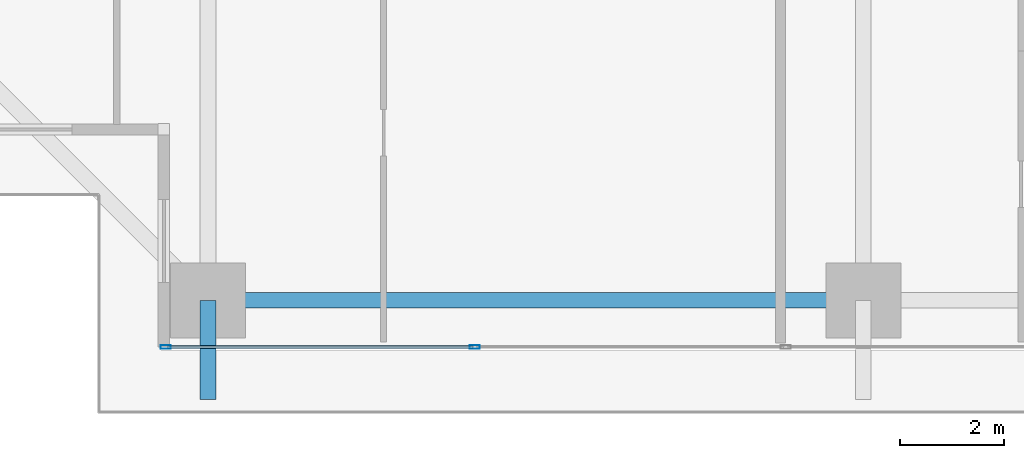
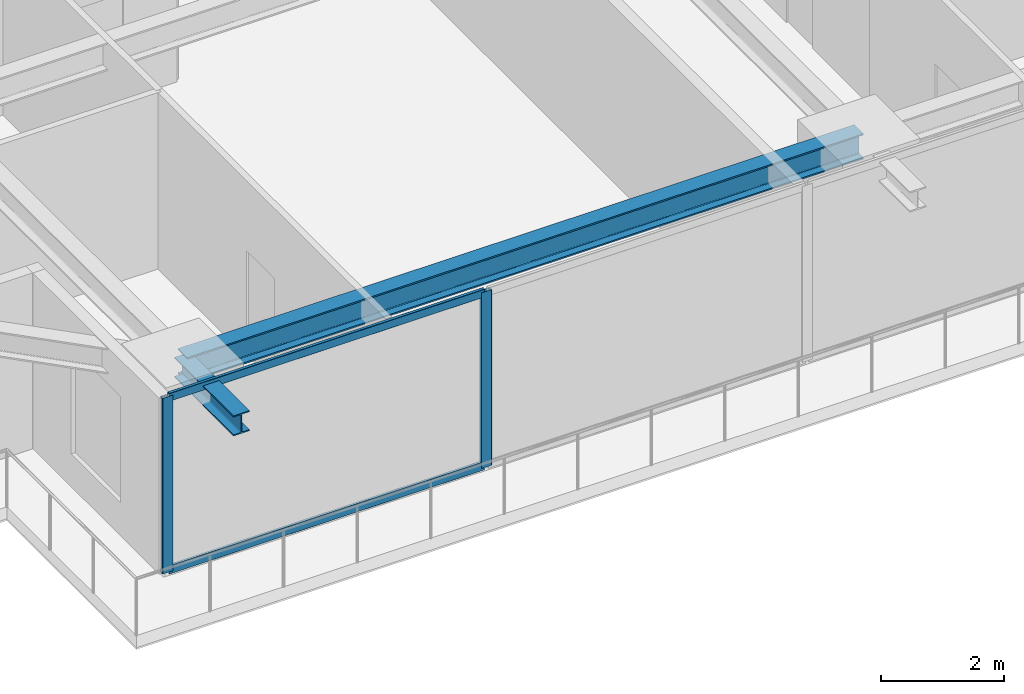
# One storey, part 2 of 37: 4 members, 2 beams, 1 element without a shape of its own.
"""IFC4 building model written with IfcOpenShell, lengths in metres."""

from ifc_helpers import new_model, si_unit, direction, frame, origin, origin_2d, place, context, subcontext, project, spatial, hollow_rectangle, i_section, extrude, source, transform, mapped, material, layer, layer_set, material_profile, profile_set, type_object, element, aggregate, save


model = new_model("IFC4")

# Units and contexts
model_context = context("Model", 3, precision=1e-05, world=origin(), true_north=direction((0.0, 1.0)))
body_context = subcontext(model_context, "Body", "Model", "MODEL_VIEW")
ifc_project = project(units=[si_unit("LENGTHUNIT", "METRE"), si_unit("AREAUNIT", "SQUARE_METRE"), si_unit("VOLUMEUNIT", "CUBIC_METRE"), si_unit("PLANEANGLEUNIT", "RADIAN"), si_unit("MASSUNIT", "GRAM", prefix="KILO")], contexts=[model_context])

# Site, building, storey
site_placement = place(None, origin())
site = spatial("IfcSite", under=ifc_project, at=site_placement, CompositionType="ELEMENT")
building_placement = place(site_placement, origin())
building = spatial("IfcBuilding", under=site, at=building_placement, Name="Serunith Strait Residences", CompositionType="ELEMENT")
storey_placement = place(building_placement, frame((0.0, 0.0, 34.199951171875)))
storey = spatial("IfcBuildingStorey", under=building, at=storey_placement, Name="L07", CompositionType="ELEMENT", Elevation=34.199951171875)

# Beams
ifc_material_1 = material(Name="Steel S355J2", Category="steel")
ifc_material_profile_1 = material_profile(ifc_material_1, i_section(OverallWidth=0.300048828125, OverallDepth=0.5, WebThickness=0.014404296875, FlangeThickness=0.028076171875, FilletRadius=0.027099609375, at=origin_2d()), Name="HEB 500")
ifc_profile_set_1 = profile_set([ifc_material_profile_1], Name="Steel S355J2")
beam_type_1 = type_object("IfcBeamType", Name="BM-HEB500", PredefinedType="BEAM", material=ifc_profile_set_1)
shared_shape_1 = source(origin(), body_context, "Body", "SweptSolid", [
    extrude(i_section(OverallWidth=0.300048828125, OverallDepth=0.5, WebThickness=0.014404296875, FlangeThickness=0.028076171875, FilletRadius=0.027099609375, at=origin_2d()), origin(), (0.0, 0.0, 1.0), 12.64990234375),
])
beam_1_placement = place(storey_placement, frame((15.25, 1.10009765625, 3.237060546875), z_axis=(1.0, 0.0, 0.0), x_axis=(0.0, 1.0, 0.0)))
element("IfcBeam", 1, at=beam_1_placement, inside=storey, type_object=beam_type_1, Name="L07 Perimeter Ring Beam 01", PredefinedType="BEAM", context=body_context, shape_type="MappedRepresentation", body=[
    mapped(shared_shape_1, transform((0.0, 0.0, 0.0), scale=1.0)),
])
ifc_material_profile_2 = material_profile(ifc_material_1, i_section(OverallWidth=0.300048828125, OverallDepth=0.39990234375, WebThickness=0.013427734375, FlangeThickness=0.02392578125, FilletRadius=0.027099609375, at=origin_2d()), Name="HEB 400")
ifc_profile_set_2 = profile_set([ifc_material_profile_2], Name="Steel S355J2")
beam_type_2 = type_object("IfcBeamType", Name="BM-HEB400", PredefinedType="BEAM", material=ifc_profile_set_2)
shared_shape_2 = source(origin(), body_context, "Body", "SweptSolid", [
    extrude(i_section(OverallWidth=0.300048828125, OverallDepth=0.39990234375, WebThickness=0.013427734375, FlangeThickness=0.02392578125, FilletRadius=0.027099609375, at=origin_2d()), origin(), (0.0, 0.0, 1.0), 1.91015625),
])
beam_2_placement = place(storey_placement, frame((15.25, 1.10009765625, 3.257080078125), z_axis=(0.0, -1.0, 0.0), x_axis=(1.0, 0.0, 0.0)))
element("IfcBeam", 2, at=beam_2_placement, inside=storey, type_object=beam_type_2, Name="L08 Cantilevered Balcony Rib TC-S1", PredefinedType="BEAM", context=body_context, shape_type="MappedRepresentation", body=[
    mapped(shared_shape_2, transform((0.0, 0.0, 0.0), scale=1.0)),
])

# Curtain wall, members
ifc_material_2 = material(Name="Pale-Champagne Anodised Aluminium", Category="aluminium")
ifc_layer = layer(ifc_material_2, 0.199951171875, Name="Pale-Champagne Anodised Aluminium")
ifc_layer_set = layer_set([ifc_layer], Name="Pale-Champagne Anodised Aluminium")
curtain_wall_type = type_object("IfcCurtainWallType", Name="CW-SYS1", PredefinedType="NOTDEFINED", material=ifc_layer_set)
curtain_wall_placement = place(storey_placement, origin())
curtain_wall = element("IfcCurtainWall", 3, at=curtain_wall_placement, inside=storey, type_object=curtain_wall_type, Name="L07 S Unitised Fritted Curtain Wall", PredefinedType="NOTDEFINED")
ifc_material_profile_3 = material_profile(ifc_material_2, hollow_rectangle(XDim=0.070068359375, YDim=0.199951171875, WallThickness=0.00390625, InnerFilletRadius=0.006103515625, OuterFilletRadius=0.010009765625, at=origin_2d()), Name="ALU 200x70x4")
ifc_profile_set_3 = profile_set([ifc_material_profile_3], Name="Pale-Champagne Anodised Aluminium")
member_type_1 = type_object("IfcMemberType", Name="CW-SYS1-MULL", PredefinedType="MULLION", material=ifc_profile_set_3)
shared_shape_3 = source(origin(), body_context, "Body", "SweptSolid", [
    extrude(hollow_rectangle(XDim=0.070068359375, YDim=0.199951171875, WallThickness=0.00390625, InnerFilletRadius=0.006103515625, OuterFilletRadius=0.010009765625, at=origin_2d()), origin(), (0.0, 0.0, 1.0), 3.47509765625),
])
member_1_placement = place(storey_placement, frame((14.43505859375, 0.199951171875, 0.0), z_axis=(0.0, 0.0, 1.0), x_axis=(0.0, 1.0, 0.0)))
member_1 = element("IfcMember", 4, at=member_1_placement, type_object=member_type_1, Name="CW-1 mullion 1", PredefinedType="MULLION", context=body_context, shape_type="MappedRepresentation", body=[
    mapped(shared_shape_3, transform((0.0, 0.0, 0.0), scale=1.0)),
])
member_2_placement = place(storey_placement, frame((20.39990234375, 0.199951171875, 0.0), z_axis=(0.0, 0.0, 1.0), x_axis=(0.0, 1.0, 0.0)))
member_2 = element("IfcMember", 5, at=member_2_placement, type_object=member_type_1, Name="CW-1 mullion 2", PredefinedType="MULLION", context=body_context, shape_type="MappedRepresentation", body=[
    mapped(shared_shape_3, transform((0.0, 0.0, 0.0), scale=1.0)),
])
ifc_material_profile_4 = material_profile(ifc_material_2, hollow_rectangle(XDim=0.06005859375, YDim=0.159912109375, WallThickness=0.00341796875, InnerFilletRadius=0.00537109375, OuterFilletRadius=0.0087890625, at=origin_2d()), Name="ALU 160x60x3.5")
ifc_profile_set_4 = profile_set([ifc_material_profile_4], Name="Pale-Champagne Anodised Aluminium")
member_type_2 = type_object("IfcMemberType", Name="CW-SYS1-TRAN", PredefinedType="USERDEFINED", material=ifc_profile_set_4)
shared_shape_4 = source(origin(), body_context, "Body", "SweptSolid", [
    extrude(hollow_rectangle(XDim=0.06005859375, YDim=0.159912109375, WallThickness=0.00341796875, InnerFilletRadius=0.00537109375, OuterFilletRadius=0.0087890625, at=origin_2d()), origin(), (0.0, 0.0, 1.0), 5.89501953125),
])
member_3_placement = place(storey_placement, frame((14.469970703125, 0.199951171875, 0.030029296875), z_axis=(1.0, 0.0, 0.0), x_axis=(0.0, 1.0, 0.0)))
member_3 = element("IfcMember", 6, at=member_3_placement, type_object=member_type_2, Name="CW-1 transom 1.1", ObjectType="TRANSOM", PredefinedType="USERDEFINED", context=body_context, shape_type="MappedRepresentation", body=[
    mapped(shared_shape_4, transform((0.0, 0.0, 0.0), scale=1.0)),
])
member_4_placement = place(storey_placement, frame((14.469970703125, 0.199951171875, 3.445068359375), z_axis=(1.0, 0.0, 0.0), x_axis=(0.0, 1.0, 0.0)))
member_4 = element("IfcMember", 7, at=member_4_placement, type_object=member_type_2, Name="CW-1 transom 1.2", ObjectType="TRANSOM", PredefinedType="USERDEFINED", context=body_context, shape_type="MappedRepresentation", body=[
    mapped(shared_shape_4, transform((0.0, 0.0, 0.0), scale=1.0)),
])
aggregate(curtain_wall, [member_1, member_2, member_3, member_4])

save(model, "model.ifc")
